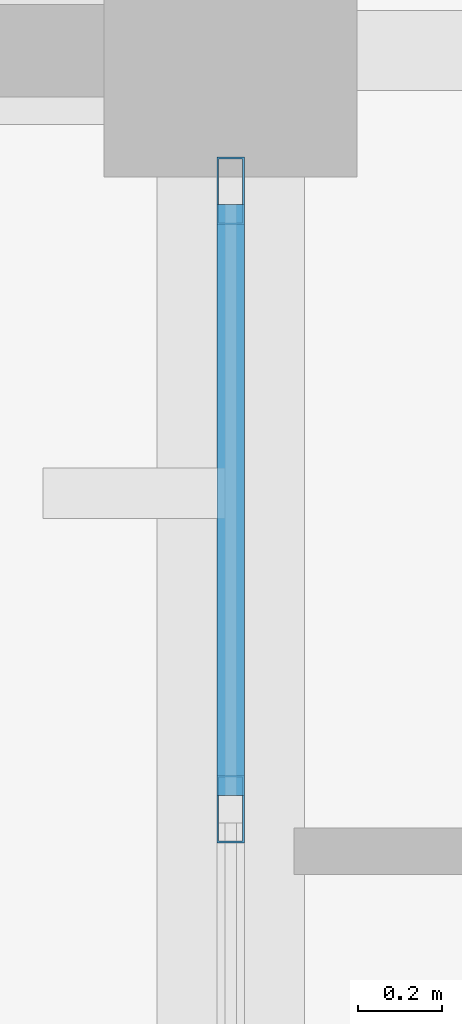
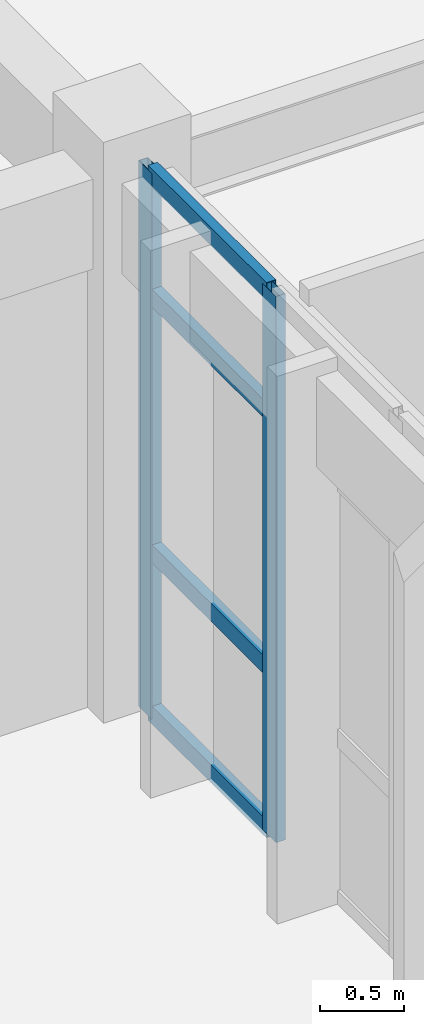
# One storey, part 8 of 28: 6 members, 1 element without a shape of its own.
"""IFC4 building model written with IfcOpenShell, lengths in metres."""

import ifcopenshell
import ifcopenshell.guid

model = None  # the IFC model being written
_history = None  # IfcOwnerHistory: only IFC2X3 demands one
_inside = {}  # id of a spatial element -> (the spatial element, [elements in it])
_under = {}  # id of a project, library or spatial element -> (it, [spatial elements below it])
_declared = {}  # id of a project -> (the project, [libraries it declares])
_typed = {}  # id of a type object -> (the type object, [elements of that type])
_made_of = {}  # id of a material, layer set ... -> (it, [elements and type objects made of it])


def new_model(schema):
    """Start an empty IFC model of exactly this schema.

    Asked for "IFC4X3", IfcOpenShell would pick the latest addendum, in which some entities
    have other attributes; the version numbers below select the first issue.
    IFC2X3 requires an IfcOwnerHistory on every rooted entity: one is made here for all.
    """
    global model, _history
    if schema == "IFC4X3":
        model = ifcopenshell.file(schema_version=(4, 3, 0, 0))
    else:
        model = ifcopenshell.file(schema=schema)
    _inside.clear()
    _under.clear()
    _declared.clear()
    _typed.clear()
    _made_of.clear()
    _history = None
    if model.schema == "IFC2X3":
        org = make("IfcOrganization", Name="unknown")
        user = make(
            "IfcPersonAndOrganization",
            ThePerson=make("IfcPerson", FamilyName="unknown"),
            TheOrganization=org,
        )
        app = make(
            "IfcApplication",
            ApplicationDeveloper=org,
            Version="unknown",
            ApplicationFullName="unknown",
            ApplicationIdentifier="unknown",
        )
        _history = make(
            "IfcOwnerHistory",
            OwningUser=user,
            OwningApplication=app,
            ChangeAction="ADDED",
            CreationDate=0,
        )
    return model


def make(cls, **values):
    """One entity of the class cls with the attributes given. An attribute that is None is left unset."""
    return model.create_entity(
        cls, **{name: value for name, value in values.items() if value is not None}
    )


def rooted(cls, **values):
    """An entity with a GlobalId (a new one), such as an element, a storey or a relation."""
    return make(cls, GlobalId=ifcopenshell.guid.new(), OwnerHistory=_history, **values)


def si_unit(unit_type, name, prefix=None):
    """IfcSIUnit, for example si_unit("LENGTHUNIT", "METRE", prefix="MILLI")."""
    return make("IfcSIUnit", UnitType=unit_type, Prefix=prefix, Name=name)


def assignment(units):
    """IfcUnitAssignment: the units of a project."""
    return None if units is None else make("IfcUnitAssignment", Units=units)


def point(xyz):
    """IfcCartesianPoint."""
    return None if xyz is None else make("IfcCartesianPoint", Coordinates=xyz)


def direction(xyz):
    """IfcDirection."""
    return None if xyz is None else make("IfcDirection", DirectionRatios=xyz)


def frame(location, z_axis=None, x_axis=None):
    """IfcAxis2Placement3D, a coordinate frame: its origin and axes. An axis left out is left unset."""
    return make(
        "IfcAxis2Placement3D",
        Location=point(location),
        Axis=direction(z_axis),
        RefDirection=direction(x_axis),
    )


def frame_2d(location, x_axis=None):
    """IfcAxis2Placement2D, a coordinate frame in the plane: its origin and x axis."""
    return make(
        "IfcAxis2Placement2D", Location=point(location), RefDirection=direction(x_axis)
    )


def origin():
    """The frame at (0, 0, 0) with its axes left unset."""
    return frame((0.0, 0.0, 0.0))


def origin_2d():
    """The frame at (0, 0) in the plane with its x axis left unset."""
    return frame_2d((0.0, 0.0))


def place(relative_to, where):
    """IfcLocalPlacement: puts the frame where relative to a parent placement (None: the world)."""
    return make(
        "IfcLocalPlacement", PlacementRelTo=relative_to, RelativePlacement=where
    )


def context(
    kind, dimensions, precision=None, world=None, true_north=None, identifier=None
):
    """IfcGeometricRepresentationContext, for example the 3D "Model" context."""
    return make(
        "IfcGeometricRepresentationContext",
        ContextIdentifier=identifier,
        ContextType=kind,
        CoordinateSpaceDimension=dimensions,
        Precision=precision,
        WorldCoordinateSystem=world,
        TrueNorth=true_north,
    )


def subcontext(parent, identifier, kind, view, scale=None):
    """IfcGeometricRepresentationSubContext, for example "Body" below "Model"."""
    return make(
        "IfcGeometricRepresentationSubContext",
        ContextIdentifier=identifier,
        ContextType=kind,
        ParentContext=parent,
        TargetScale=scale,
        TargetView=view,
    )


def project(units=None, contexts=None):
    """IfcProject with its units and contexts."""
    return rooted(
        "IfcProject",
        Name="project",
        RepresentationContexts=contexts,
        UnitsInContext=assignment(units),
    )


def spatial(cls, under=None, at=None, **own):
    """A site, building, storey or space (cls), placed at a placement, below another one or the project."""
    s = rooted(cls, ObjectPlacement=at, **own)
    if under is not None:
        _under.setdefault(under.id(), (under, []))[1].append(s)
    return s


def profile(cls, at=None, kind="AREA", **sizes):
    """A parametric profile (cls). Its sizes go by their IFC names, for example OverallWidth=200.0."""
    return make(cls, ProfileType=kind, Position=at, **sizes)


def hollow_rectangle(**sizes):
    """IfcRectangleHollowProfileDef."""
    return profile("IfcRectangleHollowProfileDef", **sizes)


def extrude(swept, where, along, depth):
    """IfcExtrudedAreaSolid: the profile swept, set in the frame where, extruded along a direction by depth."""
    return make(
        "IfcExtrudedAreaSolid",
        SweptArea=swept,
        Position=where,
        ExtrudedDirection=direction(along),
        Depth=depth,
    )


def shape(context_of_items, identifier, shape_type, items):
    """IfcShapeRepresentation: the items that make up one representation, for example the "Body"."""
    return make(
        "IfcShapeRepresentation",
        ContextOfItems=context_of_items,
        RepresentationIdentifier=identifier,
        RepresentationType=shape_type,
        Items=items,
    )


def material(Name=None, Category=None):
    """IfcMaterial."""
    return make("IfcMaterial", Name=Name, Category=Category)


def layer(
    of_material, thickness, ventilated=None, Name=None, Category=None, Priority=None
):
    """IfcMaterialLayer: one layer of a wall or slab, of a material (None: an air gap)."""
    return make(
        "IfcMaterialLayer",
        Material=of_material,
        LayerThickness=thickness,
        IsVentilated=ventilated,
        Name=Name,
        Category=Category,
        Priority=Priority,
    )


def layer_set(layers, Name=None):
    """IfcMaterialLayerSet."""
    return make("IfcMaterialLayerSet", MaterialLayers=layers, LayerSetName=Name)


def material_profile(
    of_material, cross_section, Name=None, Category=None, Priority=None
):
    """IfcMaterialProfile: a cross section and its material."""
    return make(
        "IfcMaterialProfile",
        Name=Name,
        Material=of_material,
        Profile=cross_section,
        Priority=Priority,
        Category=Category,
    )


def profile_set(profiles, Name=None, composite=None):
    """IfcMaterialProfileSet."""
    return make(
        "IfcMaterialProfileSet",
        Name=Name,
        MaterialProfiles=profiles,
        CompositeProfile=composite,
    )


def made_of(thing, what):
    """Note that an element or type object is made of a material, layer set ...; save() writes the relation."""
    if what is not None:
        _made_of.setdefault(what.id(), (what, []))[1].append(thing)
    return thing


def type_object(cls, material=None, **own):
    """A type object (cls), such as IfcWallType, which elements share."""
    return made_of(rooted(cls, **own), material)


def element(
    cls,
    number,
    at=None,
    inside=None,
    cuts=None,
    type_object=None,
    material=None,
    context=None,
    identifier="Body",
    shape_type=None,
    held_by="IfcProductDefinitionShape",
    body=None,
    shapes=None,
    **own,
):
    """One element of the class cls, such as IfcWall. Its Tag is "e" and its number.

    at: its placement. inside: the storey or other place that contains it. cuts: it is an
    opening in that element (IfcRelVoidsElement). A single representation is given by context,
    identifier, shape_type and body (its items); several are given by shapes. held_by: the class
    of the entity that holds the representations. save() writes the other relations.
    """
    e = rooted(cls, Tag="e%d" % number, ObjectPlacement=at, **own)
    if body is not None:
        shapes = [shape(context, identifier, shape_type, body)]
    if shapes is not None:
        e.Representation = make(held_by, Representations=shapes)
    if inside is not None:
        _inside.setdefault(inside.id(), (inside, []))[1].append(e)
    if cuts is not None:
        rooted(
            "IfcRelVoidsElement", RelatingBuildingElement=cuts, RelatedOpeningElement=e
        )
    if type_object is not None:
        _typed.setdefault(type_object.id(), (type_object, []))[1].append(e)
    return made_of(e, material)


def aggregate(whole, parts):
    """IfcRelAggregates: a whole, such as a stair, and the parts it consists of."""
    return rooted("IfcRelAggregates", RelatingObject=whole, RelatedObjects=parts)


def save(model, path):
    """Write the relations noted so far, then the file.

    IfcRelAggregates (storeys below a building ...), IfcRelContainedInSpatialStructure (elements
    in a storey), IfcRelDefinesByType, IfcRelAssociatesMaterial and IfcRelDeclares: one each for
    every whole, place, type object, material and project.
    """
    for whole, parts in _under.values():
        aggregate(whole, parts)
    for where, things in _inside.values():
        rooted(
            "IfcRelContainedInSpatialStructure",
            RelatedElements=things,
            RelatingStructure=where,
        )
    for kind, things in _typed.values():
        rooted("IfcRelDefinesByType", RelatedObjects=things, RelatingType=kind)
    for what, things in _made_of.values():
        rooted("IfcRelAssociatesMaterial", RelatedObjects=things, RelatingMaterial=what)
    for by, libraries in _declared.values():
        rooted("IfcRelDeclares", RelatingContext=by, RelatedDefinitions=libraries)
    model.write(path)


model = new_model("IFC4")

# Units and contexts
model_context = context("Model", 3, precision=1e-05, world=origin(), true_north=direction((0.0, 1.0)))
body_context = subcontext(model_context, "Body", "Model", "MODEL_VIEW")
ifc_project = project(units=[si_unit("LENGTHUNIT", "METRE"), si_unit("AREAUNIT", "SQUARE_METRE"), si_unit("VOLUMEUNIT", "CUBIC_METRE"), si_unit("PLANEANGLEUNIT", "RADIAN"), si_unit("MASSUNIT", "GRAM", prefix="KILO")], contexts=[model_context])

# Site, building, storey
site_placement = place(None, origin())
site = spatial("IfcSite", under=ifc_project, at=site_placement, CompositionType="ELEMENT")
building_placement = place(site_placement, origin())
building = spatial("IfcBuilding", under=site, at=building_placement, Name="Pandanus Reach Market Hall", CompositionType="ELEMENT")
storey_placement = place(building_placement, frame((0.0, 0.0, 18.60009765625)))
storey = spatial("IfcBuildingStorey", under=building, at=storey_placement, Name="L04", CompositionType="ELEMENT", Elevation=18.60009765625)

# Curtain wall, members
ifc_material_1 = material(Name="Bronze anodised aluminium and low-E glass", Category="aluminium")
ifc_layer = layer(ifc_material_1, 0.159912109375, Name="CW-37")
ifc_layer_set = layer_set([ifc_layer], Name="Bronze anodised aluminium and low-E glass")
curtain_wall_type = type_object("IfcCurtainWallType", Name="CW-37", PredefinedType="NOTDEFINED", material=ifc_layer_set)
curtain_wall_placement = place(storey_placement, origin())
curtain_wall = element("IfcCurtainWall", 1, at=curtain_wall_placement, inside=storey, type_object=curtain_wall_type, Name="Glazed curtain wall CW-37 CW-0133", PredefinedType="NOTDEFINED")
ifc_material_2 = material(Name="Bronze anodised aluminium", Category="aluminium")
ifc_material_profile_1 = material_profile(ifc_material_2, hollow_rectangle(XDim=0.06494140625, YDim=0.159912109375, WallThickness=0.00390625, at=origin_2d()), Name="ALU65x160", Category="LoadBearing")
ifc_profile_set_1 = profile_set([ifc_material_profile_1], Name="Bronze anodised aluminium")
member_type_1 = type_object("IfcMemberType", Name="CW-M1", PredefinedType="MULLION", material=ifc_profile_set_1)
member_1_placement = place(storey_placement, frame((156.0, 46.199951171875, 0.0), z_axis=(0.0, 0.0, 1.0), x_axis=(-1.0, 0.0, 0.0)))
member_1 = element("IfcMember", 2, at=member_1_placement, type_object=member_type_1, Name="CW-37 mullion 6", PredefinedType="MULLION", context=body_context, shape_type="SweptSolid", body=[
    extrude(hollow_rectangle(XDim=0.06494140625, YDim=0.159912109375, WallThickness=0.00390625, at=origin_2d()), origin(), (0.0, 0.0, 1.0), 3.949951171875),
])
member_2_placement = place(storey_placement, frame((156.0, 47.66748046875, 0.0), z_axis=(0.0, 0.0, 1.0), x_axis=(-1.0, 0.0, 0.0)))
member_2 = element("IfcMember", 3, at=member_2_placement, type_object=member_type_1, Name="CW-37 mullion 7", PredefinedType="MULLION", context=body_context, shape_type="SweptSolid", body=[
    extrude(hollow_rectangle(XDim=0.06494140625, YDim=0.159912109375, WallThickness=0.00390625, at=origin_2d()), origin(), (0.0, 0.0, 1.0), 3.949951171875),
])
ifc_material_profile_2 = material_profile(ifc_material_2, hollow_rectangle(XDim=0.06494140625, YDim=0.1298828125, WallThickness=0.00390625, at=origin_2d()), Name="ALU65x130", Category="LoadBearing")
ifc_profile_set_2 = profile_set([ifc_material_profile_2], Name="Bronze anodised aluminium")
member_type_2 = type_object("IfcMemberType", Name="CW-T1", PredefinedType="USERDEFINED", material=ifc_profile_set_2)
member_3_placement = place(storey_placement, frame((156.0, 46.232421875, 0.032470703125), z_axis=(0.0, 1.0, 0.0), x_axis=(-1.0, 0.0, 0.0)))
member_3 = element("IfcMember", 4, at=member_3_placement, type_object=member_type_2, Name="CW-37 transom 6.1", ObjectType="TRANSOM", PredefinedType="USERDEFINED", context=body_context, shape_type="SweptSolid", body=[
    extrude(hollow_rectangle(XDim=0.06494140625, YDim=0.1298828125, WallThickness=0.00390625, at=origin_2d()), origin(), (0.0, 0.0, 1.0), 1.402587890625),
])
member_4_placement = place(storey_placement, frame((156.0, 46.232421875, 1.199951171875), z_axis=(0.0, 1.0, 0.0), x_axis=(-1.0, 0.0, 0.0)))
member_4 = element("IfcMember", 5, at=member_4_placement, type_object=member_type_2, Name="CW-37 transom 6.2", ObjectType="TRANSOM", PredefinedType="USERDEFINED", context=body_context, shape_type="SweptSolid", body=[
    extrude(hollow_rectangle(XDim=0.06494140625, YDim=0.1298828125, WallThickness=0.00390625, at=origin_2d()), origin(), (0.0, 0.0, 1.0), 1.402587890625),
])
member_5_placement = place(storey_placement, frame((156.0, 46.232421875, 3.0498046875), z_axis=(0.0, 1.0, 0.0), x_axis=(-1.0, 0.0, 0.0)))
member_5 = element("IfcMember", 6, at=member_5_placement, type_object=member_type_2, Name="CW-37 transom 6.3", ObjectType="TRANSOM", PredefinedType="USERDEFINED", context=body_context, shape_type="SweptSolid", body=[
    extrude(hollow_rectangle(XDim=0.06494140625, YDim=0.1298828125, WallThickness=0.00390625, at=origin_2d()), origin(), (0.0, 0.0, 1.0), 1.402587890625),
])
member_6_placement = place(storey_placement, frame((156.0, 46.232421875, 3.91748046875), z_axis=(0.0, 1.0, 0.0), x_axis=(-1.0, 0.0, 0.0)))
member_6 = element("IfcMember", 7, at=member_6_placement, type_object=member_type_2, Name="CW-37 transom 6.4", ObjectType="TRANSOM", PredefinedType="USERDEFINED", context=body_context, shape_type="SweptSolid", body=[
    extrude(hollow_rectangle(XDim=0.06494140625, YDim=0.1298828125, WallThickness=0.00390625, at=origin_2d()), origin(), (0.0, 0.0, 1.0), 1.402587890625),
])
aggregate(curtain_wall, [member_1, member_2, member_3, member_4, member_5, member_6])

save(model, "model.ifc")
